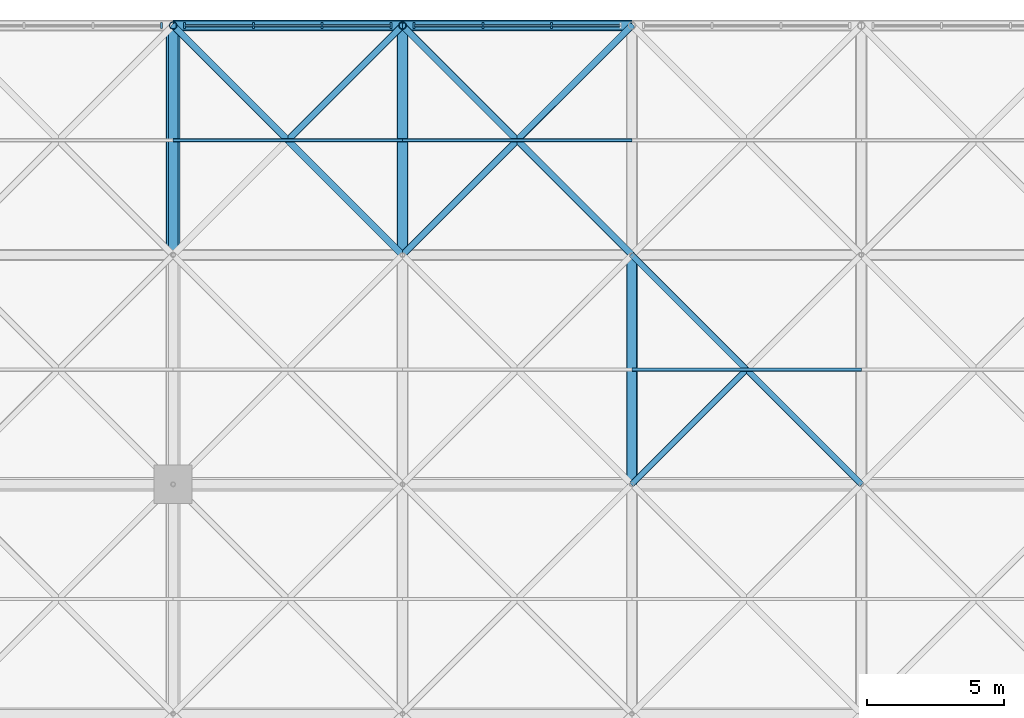
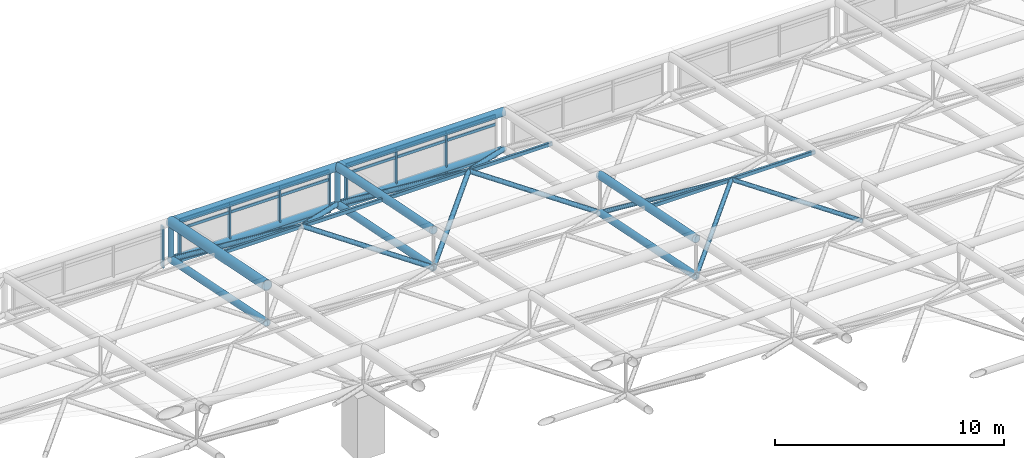
# One storey, part 50 of 81: 51 members, 3 elements without a shape of their own.
"""IFC4 building model written with IfcOpenShell, lengths in metres."""

from ifc_helpers import new_model, si_unit, direction, frame, origin, origin_2d, place, context, subcontext, project, spatial, rectangle, hollow_rectangle, hollow_circle, extrude, material, layer, layer_set, material_profile, profile_set, type_object, element, aggregate, save


model = new_model("IFC4")

# Units and contexts
model_context = context("Model", 3, precision=1e-05, world=origin(), true_north=direction((0.0, 1.0)))
body_context = subcontext(model_context, "Body", "Model", "MODEL_VIEW")
ifc_project = project(units=[si_unit("LENGTHUNIT", "METRE"), si_unit("AREAUNIT", "SQUARE_METRE"), si_unit("VOLUMEUNIT", "CUBIC_METRE"), si_unit("PLANEANGLEUNIT", "RADIAN"), si_unit("MASSUNIT", "GRAM", prefix="KILO")], contexts=[model_context])

# Site, building, storey
site_placement = place(None, origin())
site = spatial("IfcSite", under=ifc_project, at=site_placement, CompositionType="ELEMENT")
building_placement = place(site_placement, origin())
building = spatial("IfcBuilding", under=site, at=building_placement, Name="Qawsi Khor Wholesale Market", CompositionType="ELEMENT")
storey_placement = place(building_placement, frame((0.0, 0.0, 16.199951171875)))
storey = spatial("IfcBuildingStorey", under=building, at=storey_placement, Name="L03", CompositionType="ELEMENT", Elevation=16.199951171875)

# Curtain wall, member
ifc_material_1 = material(Name="Aluminium Anodised Bronze", Category="aluminium")
ifc_layer = layer(ifc_material_1, 0.199951171875, Name="Aluminium Anodised Bronze")
ifc_layer_set = layer_set([ifc_layer], Name="Aluminium Anodised Bronze")
curtain_wall_type = type_object("IfcCurtainWallType", Name="Trading Hall North-Light Curtain Wall CW-03", PredefinedType="NOTDEFINED", material=ifc_layer_set)
curtain_wall_1_placement = place(storey_placement, origin())
curtain_wall_1 = element("IfcCurtainWall", 1, at=curtain_wall_1_placement, inside=storey, type_object=curtain_wall_type, Name="Curtain wall CW-CW-03-L03-121", PredefinedType="NOTDEFINED")
ifc_material_profile_1 = material_profile(ifc_material_1, rectangle(XDim=0.074951171875, YDim=0.219970703125, at=origin_2d()), Name="ALU MULLION 75x220")
ifc_profile_set_1 = profile_set([ifc_material_profile_1], Name="Aluminium Anodised Bronze")
member_type_1 = type_object("IfcMemberType", Name="Curtain Wall Mullion CW-03 ALU MULLION 75x220", PredefinedType="MULLION", material=ifc_profile_set_1)
member_1_placement = place(storey_placement, frame((16.37744140625, 109.199951171875, -0.300048828125), z_axis=(0.0, 0.0, 1.0), x_axis=(1.0, 0.0, 0.0)))
member_1 = element("IfcMember", 2, at=member_1_placement, type_object=member_type_1, Name="Mullion CW-CW-03-L03-121-M03", PredefinedType="MULLION", context=body_context, shape_type="SweptSolid", body=[
    extrude(rectangle(XDim=0.074951171875, YDim=0.219970703125, at=origin_2d()), origin(), (0.0, 0.0, 1.0), 2.2001953125),
])
aggregate(curtain_wall_1, [member_1])

# Curtain wall, members
curtain_wall_2_placement = place(storey_placement, origin())
curtain_wall_2 = element("IfcCurtainWall", 3, at=curtain_wall_2_placement, inside=storey, type_object=curtain_wall_type, Name="Curtain wall CW-CW-03-L03-122", PredefinedType="NOTDEFINED")
member_2_placement = place(storey_placement, frame((17.222412109375, 109.199951171875, -0.300048828125), z_axis=(0.0, 0.0, 1.0), x_axis=(1.0, 0.0, 0.0)))
member_2 = element("IfcMember", 4, at=member_2_placement, type_object=member_type_1, Name="Mullion CW-CW-03-L03-122-M00", PredefinedType="MULLION", context=body_context, shape_type="SweptSolid", body=[
    extrude(rectangle(XDim=0.074951171875, YDim=0.219970703125, at=origin_2d()), origin(), (0.0, 0.0, 1.0), 2.2001953125),
])
member_3_placement = place(storey_placement, frame((19.74072265625, 109.199951171875, -0.300048828125), z_axis=(0.0, 0.0, 1.0), x_axis=(1.0, 0.0, 0.0)))
member_3 = element("IfcMember", 5, at=member_3_placement, type_object=member_type_1, Name="Mullion CW-CW-03-L03-122-M01", PredefinedType="MULLION", context=body_context, shape_type="SweptSolid", body=[
    extrude(rectangle(XDim=0.074951171875, YDim=0.219970703125, at=origin_2d()), origin(), (0.0, 0.0, 1.0), 2.2001953125),
])
member_4_placement = place(storey_placement, frame((22.25927734375, 109.199951171875, -0.300048828125), z_axis=(0.0, 0.0, 1.0), x_axis=(1.0, 0.0, 0.0)))
member_4 = element("IfcMember", 6, at=member_4_placement, type_object=member_type_1, Name="Mullion CW-CW-03-L03-122-M02", PredefinedType="MULLION", context=body_context, shape_type="SweptSolid", body=[
    extrude(rectangle(XDim=0.074951171875, YDim=0.219970703125, at=origin_2d()), origin(), (0.0, 0.0, 1.0), 2.2001953125),
])
member_5_placement = place(storey_placement, frame((24.777587890625, 109.199951171875, -0.300048828125), z_axis=(0.0, 0.0, 1.0), x_axis=(1.0, 0.0, 0.0)))
member_5 = element("IfcMember", 7, at=member_5_placement, type_object=member_type_1, Name="Mullion CW-CW-03-L03-122-M03", PredefinedType="MULLION", context=body_context, shape_type="SweptSolid", body=[
    extrude(rectangle(XDim=0.074951171875, YDim=0.219970703125, at=origin_2d()), origin(), (0.0, 0.0, 1.0), 2.2001953125),
])

curtain_wall_3_placement = place(storey_placement, origin())
curtain_wall_3 = element("IfcCurtainWall", 8, at=curtain_wall_3_placement, inside=storey, type_object=curtain_wall_type, Name="Curtain wall CW-CW-03-L03-123", PredefinedType="NOTDEFINED")
member_6_placement = place(storey_placement, frame((25.62255859375, 109.199951171875, -0.300048828125), z_axis=(0.0, 0.0, 1.0), x_axis=(1.0, 0.0, 0.0)))
member_6 = element("IfcMember", 9, at=member_6_placement, type_object=member_type_1, Name="Mullion CW-CW-03-L03-123-M00", PredefinedType="MULLION", context=body_context, shape_type="SweptSolid", body=[
    extrude(rectangle(XDim=0.074951171875, YDim=0.219970703125, at=origin_2d()), origin(), (0.0, 0.0, 1.0), 2.2001953125),
])
member_7_placement = place(storey_placement, frame((28.140869140625, 109.199951171875, -0.300048828125), z_axis=(0.0, 0.0, 1.0), x_axis=(1.0, 0.0, 0.0)))
member_7 = element("IfcMember", 10, at=member_7_placement, type_object=member_type_1, Name="Mullion CW-CW-03-L03-123-M01", PredefinedType="MULLION", context=body_context, shape_type="SweptSolid", body=[
    extrude(rectangle(XDim=0.074951171875, YDim=0.219970703125, at=origin_2d()), origin(), (0.0, 0.0, 1.0), 2.2001953125),
])
member_8_placement = place(storey_placement, frame((30.6591796875, 109.199951171875, -0.300048828125), z_axis=(0.0, 0.0, 1.0), x_axis=(1.0, 0.0, 0.0)))
member_8 = element("IfcMember", 11, at=member_8_placement, type_object=member_type_1, Name="Mullion CW-CW-03-L03-123-M02", PredefinedType="MULLION", context=body_context, shape_type="SweptSolid", body=[
    extrude(rectangle(XDim=0.074951171875, YDim=0.219970703125, at=origin_2d()), origin(), (0.0, 0.0, 1.0), 2.2001953125),
])

# Member
ifc_material_profile_2 = material_profile(ifc_material_1, rectangle(XDim=0.070068359375, YDim=0.14990234375, at=origin_2d()), Name="ALU TRANSOM 70x150")
ifc_profile_set_2 = profile_set([ifc_material_profile_2], Name="Aluminium Anodised Bronze")
member_type_2 = type_object("IfcMemberType", Name="Curtain Wall Transom CW-03 ALU TRANSOM 70x150", PredefinedType="USERDEFINED", material=ifc_profile_set_2)
member_9_placement = place(storey_placement, frame((17.222412109375, 109.199951171875, -0.280029296875), z_axis=(1.0, 0.0, 0.0), x_axis=(0.0, 1.0, 0.0)))
member_9 = element("IfcMember", 12, at=member_9_placement, type_object=member_type_2, Name="Transom CW-CW-03-L03-122-T0_00", ObjectType="TRANSOM", PredefinedType="USERDEFINED", context=body_context, shape_type="SweptSolid", body=[
    extrude(rectangle(XDim=0.070068359375, YDim=0.14990234375, at=origin_2d()), origin(), (0.0, 0.0, 1.0), 2.518310546875),
])

member_10_placement = place(storey_placement, frame((19.74072265625, 109.199951171875, -0.280029296875), z_axis=(1.0, 0.0, 0.0), x_axis=(0.0, 1.0, 0.0)))
member_10 = element("IfcMember", 13, at=member_10_placement, type_object=member_type_2, Name="Transom CW-CW-03-L03-122-T0_01", ObjectType="TRANSOM", PredefinedType="USERDEFINED", context=body_context, shape_type="SweptSolid", body=[
    extrude(rectangle(XDim=0.070068359375, YDim=0.14990234375, at=origin_2d()), origin(), (0.0, 0.0, 1.0), 2.5185546875),
])

member_11_placement = place(storey_placement, frame((22.25927734375, 109.199951171875, -0.280029296875), z_axis=(1.0, 0.0, 0.0), x_axis=(0.0, 1.0, 0.0)))
member_11 = element("IfcMember", 14, at=member_11_placement, type_object=member_type_2, Name="Transom CW-CW-03-L03-122-T0_02", ObjectType="TRANSOM", PredefinedType="USERDEFINED", context=body_context, shape_type="SweptSolid", body=[
    extrude(rectangle(XDim=0.070068359375, YDim=0.14990234375, at=origin_2d()), origin(), (0.0, 0.0, 1.0), 2.518310546875),
])

member_12_placement = place(storey_placement, frame((17.222412109375, 109.199951171875, 1.449951171875), z_axis=(1.0, 0.0, 0.0), x_axis=(0.0, 1.0, 0.0)))
member_12 = element("IfcMember", 15, at=member_12_placement, type_object=member_type_2, Name="Transom CW-CW-03-L03-122-T1_00", ObjectType="TRANSOM", PredefinedType="USERDEFINED", context=body_context, shape_type="SweptSolid", body=[
    extrude(rectangle(XDim=0.070068359375, YDim=0.14990234375, at=origin_2d()), origin(), (0.0, 0.0, 1.0), 2.518310546875),
])

member_13_placement = place(storey_placement, frame((19.74072265625, 109.199951171875, 1.449951171875), z_axis=(1.0, 0.0, 0.0), x_axis=(0.0, 1.0, 0.0)))
member_13 = element("IfcMember", 16, at=member_13_placement, type_object=member_type_2, Name="Transom CW-CW-03-L03-122-T1_01", ObjectType="TRANSOM", PredefinedType="USERDEFINED", context=body_context, shape_type="SweptSolid", body=[
    extrude(rectangle(XDim=0.070068359375, YDim=0.14990234375, at=origin_2d()), origin(), (0.0, 0.0, 1.0), 2.5185546875),
])

member_14_placement = place(storey_placement, frame((22.25927734375, 109.199951171875, 1.449951171875), z_axis=(1.0, 0.0, 0.0), x_axis=(0.0, 1.0, 0.0)))
member_14 = element("IfcMember", 17, at=member_14_placement, type_object=member_type_2, Name="Transom CW-CW-03-L03-122-T1_02", ObjectType="TRANSOM", PredefinedType="USERDEFINED", context=body_context, shape_type="SweptSolid", body=[
    extrude(rectangle(XDim=0.070068359375, YDim=0.14990234375, at=origin_2d()), origin(), (0.0, 0.0, 1.0), 2.518310546875),
])

member_15_placement = place(storey_placement, frame((17.222412109375, 109.199951171875, 1.900146484375), z_axis=(1.0, 0.0, 0.0), x_axis=(0.0, 1.0, 0.0)))
member_15 = element("IfcMember", 18, at=member_15_placement, type_object=member_type_2, Name="Transom CW-CW-03-L03-122-T2_00", ObjectType="TRANSOM", PredefinedType="USERDEFINED", context=body_context, shape_type="SweptSolid", body=[
    extrude(rectangle(XDim=0.070068359375, YDim=0.14990234375, at=origin_2d()), origin(), (0.0, 0.0, 1.0), 2.518310546875),
])

member_16_placement = place(storey_placement, frame((19.74072265625, 109.199951171875, 1.900146484375), z_axis=(1.0, 0.0, 0.0), x_axis=(0.0, 1.0, 0.0)))
member_16 = element("IfcMember", 19, at=member_16_placement, type_object=member_type_2, Name="Transom CW-CW-03-L03-122-T2_01", ObjectType="TRANSOM", PredefinedType="USERDEFINED", context=body_context, shape_type="SweptSolid", body=[
    extrude(rectangle(XDim=0.070068359375, YDim=0.14990234375, at=origin_2d()), origin(), (0.0, 0.0, 1.0), 2.5185546875),
])

member_17_placement = place(storey_placement, frame((22.25927734375, 109.199951171875, 1.900146484375), z_axis=(1.0, 0.0, 0.0), x_axis=(0.0, 1.0, 0.0)))
member_17 = element("IfcMember", 20, at=member_17_placement, type_object=member_type_2, Name="Transom CW-CW-03-L03-122-T2_02", ObjectType="TRANSOM", PredefinedType="USERDEFINED", context=body_context, shape_type="SweptSolid", body=[
    extrude(rectangle(XDim=0.070068359375, YDim=0.14990234375, at=origin_2d()), origin(), (0.0, 0.0, 1.0), 2.518310546875),
])

aggregate(curtain_wall_2, [member_2, member_3, member_4, member_5, member_9, member_10, member_11, member_12, member_13, member_14, member_15, member_16, member_17])

member_18_placement = place(storey_placement, frame((25.62255859375, 109.199951171875, -0.280029296875), z_axis=(1.0, 0.0, 0.0), x_axis=(0.0, 1.0, 0.0)))
member_18 = element("IfcMember", 21, at=member_18_placement, type_object=member_type_2, Name="Transom CW-CW-03-L03-123-T0_00", ObjectType="TRANSOM", PredefinedType="USERDEFINED", context=body_context, shape_type="SweptSolid", body=[
    extrude(rectangle(XDim=0.070068359375, YDim=0.14990234375, at=origin_2d()), origin(), (0.0, 0.0, 1.0), 2.518310546875),
])

member_19_placement = place(storey_placement, frame((28.140869140625, 109.199951171875, -0.280029296875), z_axis=(1.0, 0.0, 0.0), x_axis=(0.0, 1.0, 0.0)))
member_19 = element("IfcMember", 22, at=member_19_placement, type_object=member_type_2, Name="Transom CW-CW-03-L03-123-T0_01", ObjectType="TRANSOM", PredefinedType="USERDEFINED", context=body_context, shape_type="SweptSolid", body=[
    extrude(rectangle(XDim=0.070068359375, YDim=0.14990234375, at=origin_2d()), origin(), (0.0, 0.0, 1.0), 2.518310546875),
])

member_20_placement = place(storey_placement, frame((30.6591796875, 109.199951171875, -0.280029296875), z_axis=(1.0, 0.0, 0.0), x_axis=(0.0, 1.0, 0.0)))
member_20 = element("IfcMember", 23, at=member_20_placement, type_object=member_type_2, Name="Transom CW-CW-03-L03-123-T0_02", ObjectType="TRANSOM", PredefinedType="USERDEFINED", context=body_context, shape_type="SweptSolid", body=[
    extrude(rectangle(XDim=0.070068359375, YDim=0.14990234375, at=origin_2d()), origin(), (0.0, 0.0, 1.0), 2.518310546875),
])

member_21_placement = place(storey_placement, frame((25.62255859375, 109.199951171875, 1.449951171875), z_axis=(1.0, 0.0, 0.0), x_axis=(0.0, 1.0, 0.0)))
member_21 = element("IfcMember", 24, at=member_21_placement, type_object=member_type_2, Name="Transom CW-CW-03-L03-123-T1_00", ObjectType="TRANSOM", PredefinedType="USERDEFINED", context=body_context, shape_type="SweptSolid", body=[
    extrude(rectangle(XDim=0.070068359375, YDim=0.14990234375, at=origin_2d()), origin(), (0.0, 0.0, 1.0), 2.518310546875),
])

member_22_placement = place(storey_placement, frame((28.140869140625, 109.199951171875, 1.449951171875), z_axis=(1.0, 0.0, 0.0), x_axis=(0.0, 1.0, 0.0)))
member_22 = element("IfcMember", 25, at=member_22_placement, type_object=member_type_2, Name="Transom CW-CW-03-L03-123-T1_01", ObjectType="TRANSOM", PredefinedType="USERDEFINED", context=body_context, shape_type="SweptSolid", body=[
    extrude(rectangle(XDim=0.070068359375, YDim=0.14990234375, at=origin_2d()), origin(), (0.0, 0.0, 1.0), 2.518310546875),
])

member_23_placement = place(storey_placement, frame((30.6591796875, 109.199951171875, 1.449951171875), z_axis=(1.0, 0.0, 0.0), x_axis=(0.0, 1.0, 0.0)))
member_23 = element("IfcMember", 26, at=member_23_placement, type_object=member_type_2, Name="Transom CW-CW-03-L03-123-T1_02", ObjectType="TRANSOM", PredefinedType="USERDEFINED", context=body_context, shape_type="SweptSolid", body=[
    extrude(rectangle(XDim=0.070068359375, YDim=0.14990234375, at=origin_2d()), origin(), (0.0, 0.0, 1.0), 2.518310546875),
])

member_24_placement = place(storey_placement, frame((25.62255859375, 109.199951171875, 1.900146484375), z_axis=(1.0, 0.0, 0.0), x_axis=(0.0, 1.0, 0.0)))
member_24 = element("IfcMember", 27, at=member_24_placement, type_object=member_type_2, Name="Transom CW-CW-03-L03-123-T2_00", ObjectType="TRANSOM", PredefinedType="USERDEFINED", context=body_context, shape_type="SweptSolid", body=[
    extrude(rectangle(XDim=0.070068359375, YDim=0.14990234375, at=origin_2d()), origin(), (0.0, 0.0, 1.0), 2.518310546875),
])

member_25_placement = place(storey_placement, frame((28.140869140625, 109.199951171875, 1.900146484375), z_axis=(1.0, 0.0, 0.0), x_axis=(0.0, 1.0, 0.0)))
member_25 = element("IfcMember", 28, at=member_25_placement, type_object=member_type_2, Name="Transom CW-CW-03-L03-123-T2_01", ObjectType="TRANSOM", PredefinedType="USERDEFINED", context=body_context, shape_type="SweptSolid", body=[
    extrude(rectangle(XDim=0.070068359375, YDim=0.14990234375, at=origin_2d()), origin(), (0.0, 0.0, 1.0), 2.518310546875),
])

member_26_placement = place(storey_placement, frame((30.6591796875, 109.199951171875, 1.900146484375), z_axis=(1.0, 0.0, 0.0), x_axis=(0.0, 1.0, 0.0)))
member_26 = element("IfcMember", 29, at=member_26_placement, type_object=member_type_2, Name="Transom CW-CW-03-L03-123-T2_02", ObjectType="TRANSOM", PredefinedType="USERDEFINED", context=body_context, shape_type="SweptSolid", body=[
    extrude(rectangle(XDim=0.070068359375, YDim=0.14990234375, at=origin_2d()), origin(), (0.0, 0.0, 1.0), 2.518310546875),
])

aggregate(curtain_wall_3, [member_6, member_7, member_8, member_18, member_19, member_20, member_21, member_22, member_23, member_24, member_25, member_26])

# Members
ifc_material_2 = material(Name="Steel S355", Category="steel")
ifc_material_profile_3 = material_profile(ifc_material_2, hollow_circle(Radius=0.177734375, WallThickness=0.01611328125, at=origin_2d()), Name="CHS 355.6x16.0")
ifc_profile_set_3 = profile_set([ifc_material_profile_3], Name="Steel S355")
member_type_3 = type_object("IfcMemberType", Name="Space-Frame Bottom Chord CHS 355.6x16.0", PredefinedType="CHORD", material=ifc_profile_set_3)
for number, where, z_axis, x_axis, name in (
    (30, (16.800048828125, 100.800048828125, 1.670166015625), (0.0, 0.9801244518, -0.198383615716), (-1.0, 0.0, 0.0), "Space frame bottom chord Y WH (2,12)"),
    (31, (25.199951171875, 100.800048828125, 1.670166015625), (0.0, 0.9801244518, -0.198383615716), (-1.0, 0.0, 0.0), "Space frame bottom chord Y WH (3,12)"),
    (32, (33.60009765625, 92.39990234375, 3.3701171875), (0.0, 0.98013111127, -0.198350711418), (-1.0, 0.0, 0.0), "Space frame bottom chord Y WH (4,11)"),
):
    element("IfcMember", number, at=place(storey_placement, frame(where, z_axis=z_axis, x_axis=x_axis)), inside=storey, type_object=member_type_3, Name=name, PredefinedType="CHORD", context=body_context, shape_type="SweptSolid", body=[
        extrude(hollow_circle(Radius=0.177734375, WallThickness=0.01611328125, at=origin_2d()), origin(), (0.0, 0.0, 1.0), 8.5703125),
    ])
ifc_material_profile_4 = material_profile(ifc_material_2, hollow_circle(Radius=0.136474609375, WallThickness=0.012451171875, at=origin_2d()), Name="CHS 273.0x12.5")
ifc_profile_set_4 = profile_set([ifc_material_profile_4], Name="Steel S355")
member_type_4 = type_object("IfcMemberType", Name="Space-Frame Edge Post CHS 273.0x12.5", PredefinedType="POST", material=ifc_profile_set_4)
for number, where, z_axis, x_axis, name in (
    (33, (16.800048828125, 109.199951171875, -0.030029296875), (0.0, 0.0, 1.0), (1.0, 0.0, 0.0), "Space frame post WH (2,13)"),
    (34, (25.199951171875, 109.199951171875, -0.030029296875), (0.0, 0.0, 1.0), (1.0, 0.0, 0.0), "Space frame post WH (3,13)"),
):
    element("IfcMember", number, at=place(storey_placement, frame(where, z_axis=z_axis, x_axis=x_axis)), inside=storey, type_object=member_type_4, Name=name, PredefinedType="POST", context=body_context, shape_type="SweptSolid", body=[
        extrude(hollow_circle(Radius=0.136474609375, WallThickness=0.012451171875, at=origin_2d()), origin(), (0.0, 0.0, 1.0), 2.0),
    ])
ifc_material_profile_5 = material_profile(ifc_material_2, hollow_circle(Radius=0.122314453125, WallThickness=0.012451171875, at=origin_2d()), Name="CHS 244.5x12.5")
ifc_profile_set_5 = profile_set([ifc_material_profile_5], Name="Steel S355")
member_type_5 = type_object("IfcMemberType", Name="Space-Frame Heavy Diagonal CHS 244.5x12.5", PredefinedType="POST", material=ifc_profile_set_5)
member_27_placement = place(storey_placement, frame((25.199951171875, 100.800048828125, 1.670166015625), z_axis=(-0.694216714393, 0.694216714393, 0.190069216113), x_axis=(-0.707106781187, -0.707106781187, 0.0)))
element("IfcMember", 35, at=member_27_placement, inside=storey, type_object=member_type_5, Name="Space frame diagonal WH (2,12)-2", PredefinedType="POST", context=body_context, shape_type="SweptSolid", body=[
    extrude(hollow_circle(Radius=0.122314453125, WallThickness=0.012451171875, at=origin_2d()), origin(), (0.0, 0.0, 1.0), 6.0498046875),
])
for number, where, z_axis, x_axis, name in (
    (36, (25.199951171875, 109.199951171875, -0.030029296875), (-0.637511741089, -0.637511741089, 0.432617105474), (0.707106781187, -0.707106781187, 0.0), "Space frame diagonal WH (2,12)-3"),
    (37, (16.800048828125, 109.199951171875, -0.030029296875), (0.637511741089, -0.637511741089, 0.432617105474), (0.707106781187, 0.707106781187, 0.0), "Space frame diagonal WH (2,12)-4"),
):
    element("IfcMember", number, at=place(storey_placement, frame(where, z_axis=z_axis, x_axis=x_axis)), inside=storey, type_object=member_type_5, Name=name, PredefinedType="POST", context=body_context, shape_type="SweptSolid", body=[
        extrude(hollow_circle(Radius=0.122314453125, WallThickness=0.012451171875, at=origin_2d()), origin(), (0.0, 0.0, 1.0), 6.588134765625),
    ])
member_28_placement = place(storey_placement, frame((25.199951171875, 100.800048828125, 1.670166015625), z_axis=(0.694216714393, 0.694216714393, 0.190069216113), x_axis=(-0.707106781187, 0.707106781187, 0.0)))
element("IfcMember", 38, at=member_28_placement, inside=storey, type_object=member_type_5, Name="Space frame diagonal WH (3,12)-1", PredefinedType="POST", context=body_context, shape_type="SweptSolid", body=[
    extrude(hollow_circle(Radius=0.122314453125, WallThickness=0.012451171875, at=origin_2d()), origin(), (0.0, 0.0, 1.0), 6.0498046875),
])
member_29_placement = place(storey_placement, frame((33.60009765625, 100.800048828125, 1.670166015625), z_axis=(-0.694237619642, 0.694197266374, 0.19006389145), x_axis=(-0.70708622964, -0.707127332136, 0.0)))
element("IfcMember", 39, at=member_29_placement, inside=storey, type_object=member_type_5, Name="Space frame diagonal WH (3,12)-2", PredefinedType="POST", context=body_context, shape_type="SweptSolid", body=[
    extrude(hollow_circle(Radius=0.122314453125, WallThickness=0.012451171875, at=origin_2d()), origin(), (0.0, 0.0, 1.0), 6.050048828125),
])
for number, where, z_axis, x_axis, name in (
    (40, (33.60009765625, 109.199951171875, -0.030029296875), (-0.637533737254, -0.637496679957, 0.432606884951), (0.70708622964, -0.707127332136, 0.0), "Space frame diagonal WH (3,12)-3"),
    (41, (25.199951171875, 109.199951171875, -0.030029296875), (0.637511741089, -0.637511741089, 0.432617105474), (0.707106781187, 0.707106781187, 0.0), "Space frame diagonal WH (3,12)-4"),
):
    element("IfcMember", number, at=place(storey_placement, frame(where, z_axis=z_axis, x_axis=x_axis)), inside=storey, type_object=member_type_5, Name=name, PredefinedType="POST", context=body_context, shape_type="SweptSolid", body=[
        extrude(hollow_circle(Radius=0.122314453125, WallThickness=0.012451171875, at=origin_2d()), origin(), (0.0, 0.0, 1.0), 6.588134765625),
    ])
ifc_material_profile_6 = material_profile(ifc_material_2, hollow_rectangle(XDim=0.1201171875, YDim=0.199951171875, WallThickness=0.008056640625, InnerFilletRadius=0.008056640625, OuterFilletRadius=0.01611328125, at=origin_2d()), Name="RHS 200x120x8.0")
ifc_profile_set_6 = profile_set([ifc_material_profile_6], Name="Steel S355")
member_type_6 = type_object("IfcMemberType", Name="Space-Frame Heavy Purlin RHS 200x120x8.0", PredefinedType="PURLIN", material=ifc_profile_set_6)
member_30_placement = place(storey_placement, frame((16.800048828125, 105.0, 2.820068359375), z_axis=(1.0, 0.0, 0.0), x_axis=(0.0, 1.0, 0.0)))
element("IfcMember", 42, at=member_30_placement, inside=storey, type_object=member_type_6, Name="Space frame purlin WH (2,12)", PredefinedType="PURLIN", context=body_context, shape_type="SweptSolid", body=[
    extrude(hollow_rectangle(XDim=0.1201171875, YDim=0.199951171875, WallThickness=0.008056640625, InnerFilletRadius=0.008056640625, OuterFilletRadius=0.01611328125, at=origin_2d()), origin(), (0.0, 0.0, 1.0), 8.39990234375),
])
member_31_placement = place(storey_placement, frame((25.199951171875, 105.0, 2.820068359375), z_axis=(1.0, 0.0, 0.0), x_axis=(0.0, 1.0, 0.0)))
element("IfcMember", 43, at=member_31_placement, inside=storey, type_object=member_type_6, Name="Space frame purlin WH (3,12)", PredefinedType="PURLIN", context=body_context, shape_type="SweptSolid", body=[
    extrude(hollow_rectangle(XDim=0.1201171875, YDim=0.199951171875, WallThickness=0.008056640625, InnerFilletRadius=0.008056640625, OuterFilletRadius=0.01611328125, at=origin_2d()), origin(), (0.0, 0.0, 1.0), 8.400146484375),
])
member_32_placement = place(storey_placement, frame((33.60009765625, 96.60009765625, 4.52001953125), z_axis=(1.0, 0.0, 0.0), x_axis=(0.0, 1.0, 0.0)))
element("IfcMember", 44, at=member_32_placement, inside=storey, type_object=member_type_6, Name="Space frame purlin WH (4,11)", PredefinedType="PURLIN", context=body_context, shape_type="SweptSolid", body=[
    extrude(hollow_rectangle(XDim=0.1201171875, YDim=0.199951171875, WallThickness=0.008056640625, InnerFilletRadius=0.008056640625, OuterFilletRadius=0.01611328125, at=origin_2d()), origin(), (0.0, 0.0, 1.0), 8.39990234375),
])
ifc_material_profile_7 = material_profile(ifc_material_2, hollow_circle(Radius=0.109619140625, WallThickness=0.010009765625, at=origin_2d()), Name="CHS 219.1x10.0")
ifc_profile_set_7 = profile_set([ifc_material_profile_7], Name="Steel S355")
member_type_7 = type_object("IfcMemberType", Name="Space-Frame Inner Diagonal CHS 219.1x10.0", PredefinedType="RAFTER", material=ifc_profile_set_7)
for number, where, z_axis, x_axis, name in (
    (45, (33.60009765625, 92.39990234375, 3.3701171875), (0.694197266374, 0.694237619642, 0.19006389145), (-0.707127332136, 0.70708622964, 0.0), "Space frame diagonal WH (4,11)-1"),
    (46, (42.0, 92.39990234375, 3.3701171875), (-0.694197266374, 0.694237619642, 0.19006389145), (-0.707127332136, -0.70708622964, 0.0), "Space frame diagonal WH (4,11)-2"),
):
    element("IfcMember", number, at=place(storey_placement, frame(where, z_axis=z_axis, x_axis=x_axis)), inside=storey, type_object=member_type_7, Name=name, PredefinedType="RAFTER", context=body_context, shape_type="SweptSolid", body=[
        extrude(hollow_circle(Radius=0.109619140625, WallThickness=0.010009765625, at=origin_2d()), origin(), (0.0, 0.0, 1.0), 6.050048828125),
    ])
member_33_placement = place(storey_placement, frame((33.60009765625, 100.800048828125, 1.670166015625), z_axis=(0.637521961484, -0.637521961484, 0.432586982294), x_axis=(0.707106781187, 0.707106781187, 0.0)))
element("IfcMember", 47, at=member_33_placement, inside=storey, type_object=member_type_7, Name="Space frame diagonal WH (4,11)-4", PredefinedType="RAFTER", context=body_context, shape_type="SweptSolid", body=[
    extrude(hollow_circle(Radius=0.109619140625, WallThickness=0.010009765625, at=origin_2d()), origin(), (0.0, 0.0, 1.0), 6.587890625),
])
ifc_material_profile_8 = material_profile(ifc_material_2, hollow_circle(Radius=0.25390625, WallThickness=0.02490234375, at=origin_2d()), Name="CHS 508.0x25.0")
ifc_profile_set_8 = profile_set([ifc_material_profile_8], Name="Steel S355")
member_type_8 = type_object("IfcMemberType", Name="Space-Frame Main Chord CHS 508.0x25.0", PredefinedType="CHORD", material=ifc_profile_set_8)
member_34_placement = place(storey_placement, frame((16.800048828125, 100.800048828125, 3.670166015625), z_axis=(0.0, 0.9801244518, -0.198383615716), x_axis=(-1.0, 0.0, 0.0)))
element("IfcMember", 48, at=member_34_placement, inside=storey, type_object=member_type_8, Name="Space frame top chord Y WH (2,12)", PredefinedType="CHORD", context=body_context, shape_type="SweptSolid", body=[
    extrude(hollow_circle(Radius=0.25390625, WallThickness=0.02490234375, at=origin_2d()), origin(), (0.0, 0.0, 1.0), 8.5703125),
])
ifc_material_profile_9 = material_profile(ifc_material_2, hollow_circle(Radius=0.161865234375, WallThickness=0.01611328125, at=origin_2d()), Name="CHS 323.9x16.0")
ifc_profile_set_9 = profile_set([ifc_material_profile_9], Name="Steel S355")
member_type_9 = type_object("IfcMemberType", Name="Space-Frame Secondary Chord CHS 323.9x16.0", PredefinedType="CHORD", material=ifc_profile_set_9)
member_35_placement = place(storey_placement, frame((16.800048828125, 109.199951171875, -0.030029296875), z_axis=(1.0, 0.0, 0.0), x_axis=(0.0, 1.0, 0.0)))
element("IfcMember", 49, at=member_35_placement, inside=storey, type_object=member_type_9, Name="Space frame bottom chord X WH (2,13)", PredefinedType="CHORD", context=body_context, shape_type="SweptSolid", body=[
    extrude(hollow_circle(Radius=0.161865234375, WallThickness=0.01611328125, at=origin_2d()), origin(), (0.0, 0.0, 1.0), 8.39990234375),
])
member_36_placement = place(storey_placement, frame((25.199951171875, 109.199951171875, -0.030029296875), z_axis=(1.0, 0.0, 0.0), x_axis=(0.0, 1.0, 0.0)))
element("IfcMember", 50, at=member_36_placement, inside=storey, type_object=member_type_9, Name="Space frame bottom chord X WH (3,13)", PredefinedType="CHORD", context=body_context, shape_type="SweptSolid", body=[
    extrude(hollow_circle(Radius=0.161865234375, WallThickness=0.01611328125, at=origin_2d()), origin(), (0.0, 0.0, 1.0), 8.400146484375),
])
ifc_material_profile_10 = material_profile(ifc_material_2, hollow_circle(Radius=0.203125, WallThickness=0.02001953125, at=origin_2d()), Name="CHS 406.4x20.0")
ifc_profile_set_10 = profile_set([ifc_material_profile_10], Name="Steel S355")
member_type_10 = type_object("IfcMemberType", Name="Space-Frame Top Chord CHS 406.4x20.0", PredefinedType="CHORD", material=ifc_profile_set_10)
member_37_placement = place(storey_placement, frame((16.800048828125, 109.199951171875, 1.969970703125), z_axis=(1.0, 0.0, 0.0), x_axis=(0.0, 1.0, 0.0)))
element("IfcMember", 51, at=member_37_placement, inside=storey, type_object=member_type_10, Name="Space frame top chord X WH (2,13)", PredefinedType="CHORD", context=body_context, shape_type="SweptSolid", body=[
    extrude(hollow_circle(Radius=0.203125, WallThickness=0.02001953125, at=origin_2d()), origin(), (0.0, 0.0, 1.0), 8.39990234375),
])
member_38_placement = place(storey_placement, frame((25.199951171875, 100.800048828125, 3.670166015625), z_axis=(0.0, 0.9801244518, -0.198383615716), x_axis=(-1.0, 0.0, 0.0)))
element("IfcMember", 52, at=member_38_placement, inside=storey, type_object=member_type_10, Name="Space frame top chord Y WH (3,12)", PredefinedType="CHORD", context=body_context, shape_type="SweptSolid", body=[
    extrude(hollow_circle(Radius=0.203125, WallThickness=0.02001953125, at=origin_2d()), origin(), (0.0, 0.0, 1.0), 8.5703125),
])
member_39_placement = place(storey_placement, frame((25.199951171875, 109.199951171875, 1.969970703125), z_axis=(1.0, 0.0, 0.0), x_axis=(0.0, 1.0, 0.0)))
element("IfcMember", 53, at=member_39_placement, inside=storey, type_object=member_type_10, Name="Space frame top chord X WH (3,13)", PredefinedType="CHORD", context=body_context, shape_type="SweptSolid", body=[
    extrude(hollow_circle(Radius=0.203125, WallThickness=0.02001953125, at=origin_2d()), origin(), (0.0, 0.0, 1.0), 8.400146484375),
])
member_40_placement = place(storey_placement, frame((33.60009765625, 92.39990234375, 5.3701171875), z_axis=(0.0, 0.98013111127, -0.198350711418), x_axis=(-1.0, 0.0, 0.0)))
element("IfcMember", 54, at=member_40_placement, inside=storey, type_object=member_type_10, Name="Space frame top chord Y WH (4,11)", PredefinedType="CHORD", context=body_context, shape_type="SweptSolid", body=[
    extrude(hollow_circle(Radius=0.203125, WallThickness=0.02001953125, at=origin_2d()), origin(), (0.0, 0.0, 1.0), 8.5703125),
])

save(model, "model.ifc")
